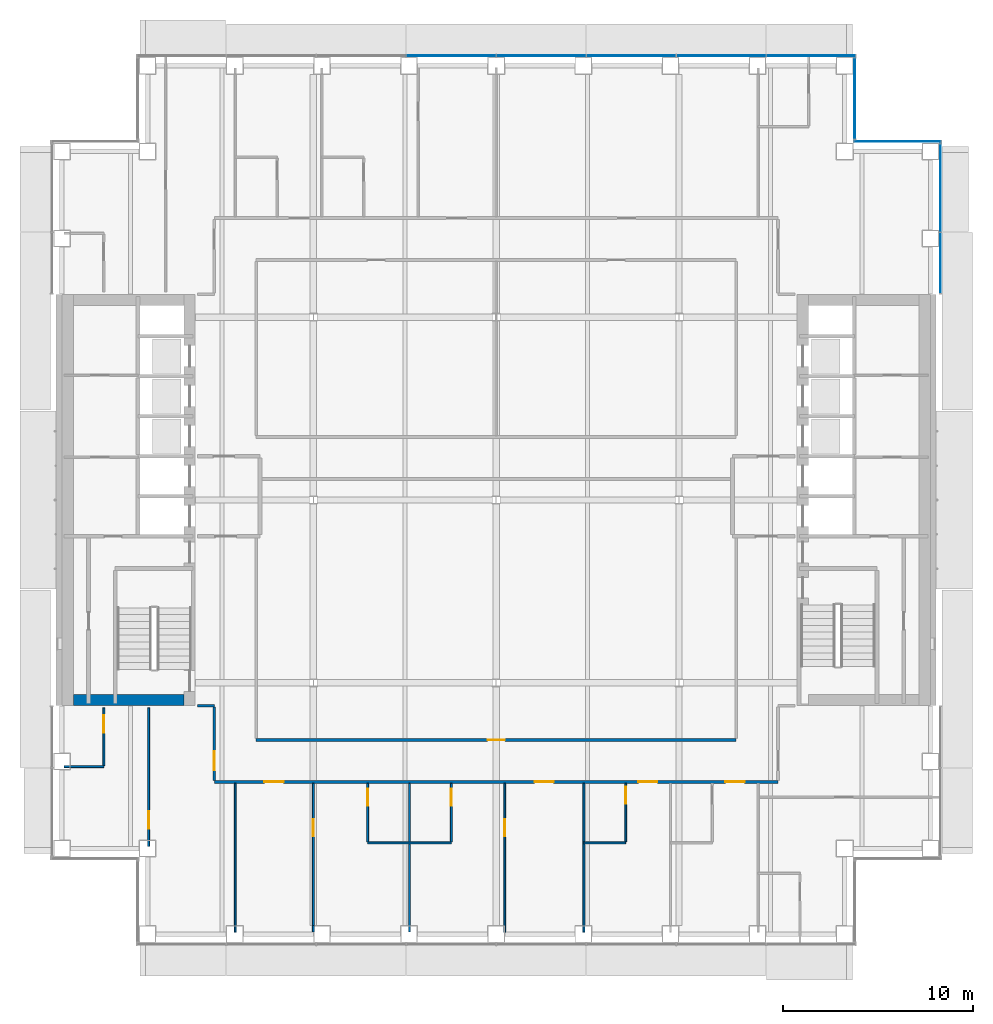
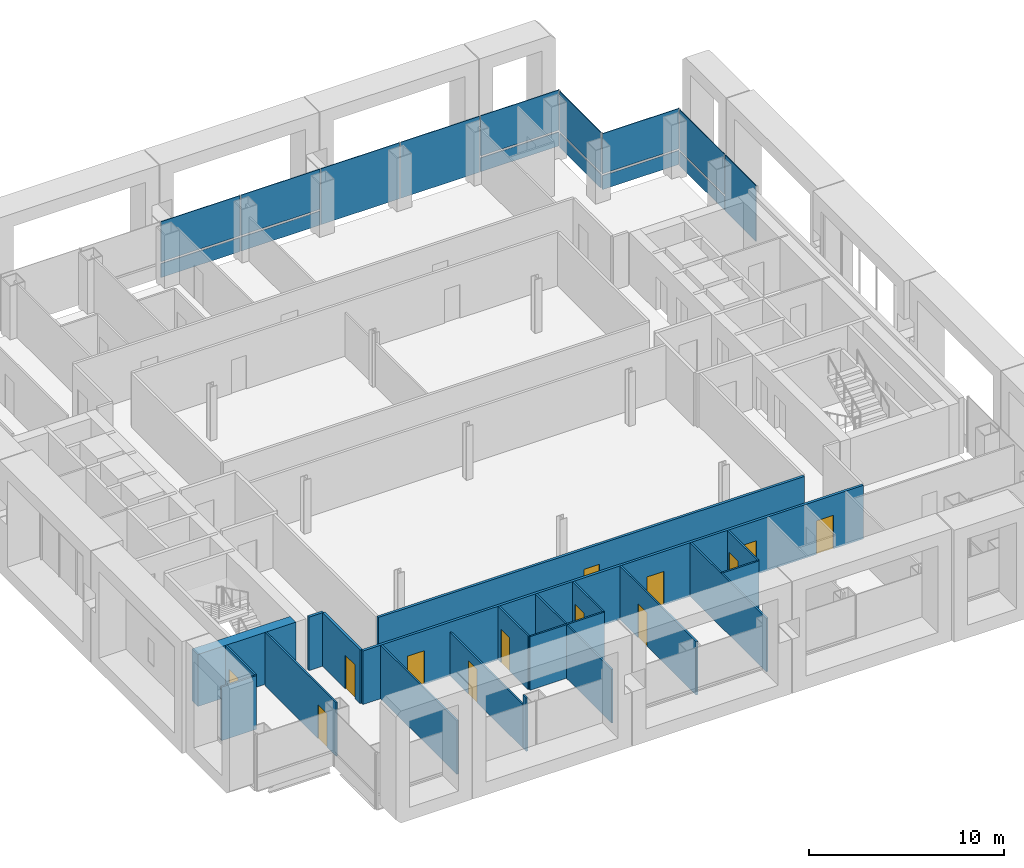
# One storey, part 10 of 19: 20 walls, 15 plates, 13 doors, 13 openings, 4 elements without a shape of their own.
"""IFC4 building model written with IfcOpenShell, lengths in metres."""

from ifc_helpers import new_model, si_unit, direction, frame, frame_2d, origin, origin_2d, place, context, subcontext, project, spatial, rectangle, extrude, material, layer, layer_set, type_object, element, fill, aggregate, save


model = new_model("IFC4")

# Units and contexts
model_context = context("Model", 3, precision=1e-05, world=origin(), true_north=direction((0.0, 1.0)))
body_context = subcontext(model_context, "Body", "Model", "MODEL_VIEW")
ifc_project = project(units=[si_unit("LENGTHUNIT", "METRE"), si_unit("AREAUNIT", "SQUARE_METRE"), si_unit("VOLUMEUNIT", "CUBIC_METRE"), si_unit("PLANEANGLEUNIT", "RADIAN"), si_unit("MASSUNIT", "GRAM", prefix="KILO")], contexts=[model_context])

# Site, building, storey
site_placement = place(None, origin())
site = spatial("IfcSite", under=ifc_project, at=site_placement, CompositionType="ELEMENT")
building_placement = place(site_placement, origin())
building = spatial("IfcBuilding", under=site, at=building_placement, Name="Cobrizo Arcos Hotel Tower", CompositionType="ELEMENT")
storey_placement = place(building_placement, frame((0.0, 0.0, 103.0)))
storey = spatial("IfcBuildingStorey", under=building, at=storey_placement, Name="L25", CompositionType="ELEMENT", Elevation=103.0)

# Curtain wall, plate
ifc_material_1 = material(Name="Aluminium 6063-T6 anodised bronze", Category="aluminium")
curtain_wall_type = type_object("IfcCurtainWallType", Name="CW-A guest facade", PredefinedType="NOTDEFINED", material=ifc_material_1)
curtain_wall_1_placement = place(storey_placement, origin())
curtain_wall_1 = element("IfcCurtainWall", 1, at=curtain_wall_1_placement, inside=storey, type_object=curtain_wall_type, Name="CW-A L25 E face", PredefinedType="NOTDEFINED")
ifc_material_2 = material(Name="Glass clear laminated low-e", Category="glass")
ifc_layer_1 = layer(ifc_material_2, 0.0400390625)
ifc_layer_set_1 = layer_set([ifc_layer_1], Name="CW-A glass panel")
plate_type_1 = type_object("IfcPlateType", Name="CW-A glass panel", PredefinedType="CURTAIN_PANEL", material=ifc_layer_set_1)
plate_1_placement = place(storey_placement, frame((23.324951171875, 16.391357421875, 0.990234375), z_axis=(0.0, 0.0, 1.0), x_axis=(0.0, 1.0, 0.0)))
plate_1 = element("IfcPlate", 2, at=plate_1_placement, type_object=plate_type_1, Name="CW-A glass panel 992", PredefinedType="CURTAIN_PANEL", context=body_context, shape_type="SweptSolid", body=[
    extrude(rectangle(XDim=4.597412109375, YDim=0.0400390625, at=origin_2d()), origin(), (0.0, 0.0, 1.0), 2.510009765625),
])

curtain_wall_2_placement = place(storey_placement, origin())
curtain_wall_2 = element("IfcCurtainWall", 3, at=curtain_wall_2_placement, inside=storey, type_object=curtain_wall_type, Name="CW-A L25 N face", PredefinedType="NOTDEFINED")
plate_2_placement = place(storey_placement, frame((21.074951171875, 18.824951171875, 0.990234375), z_axis=(0.0, 0.0, 1.0), x_axis=(-1.0, 0.0, 0.0)))
plate_2 = element("IfcPlate", 4, at=plate_2_placement, type_object=plate_type_1, Name="CW-A glass panel 993", PredefinedType="CURTAIN_PANEL", context=body_context, shape_type="SweptSolid", body=[
    extrude(rectangle(XDim=4.530029296875, YDim=0.0400390625, at=origin_2d()), origin(), (0.0, 0.0, 1.0), 2.510009765625),
])

curtain_wall_3_placement = place(storey_placement, origin())
curtain_wall_3 = element("IfcCurtainWall", 5, at=curtain_wall_3_placement, inside=storey, type_object=curtain_wall_type, Name="CW-A L25 E face", PredefinedType="NOTDEFINED")
plate_3_placement = place(storey_placement, frame((18.824951171875, 21.074951171875, 0.990234375), z_axis=(0.0, 0.0, 1.0), x_axis=(0.0, 1.0, 0.0)))
plate_3 = element("IfcPlate", 6, at=plate_3_placement, type_object=plate_type_1, Name="CW-A glass panel 994", PredefinedType="CURTAIN_PANEL", context=body_context, shape_type="SweptSolid", body=[
    extrude(rectangle(XDim=4.22998046875, YDim=0.0400390625, at=origin_2d()), origin(), (0.0, 0.0, 1.0), 2.510009765625),
])

# Curtain wall, plates
curtain_wall_4_placement = place(storey_placement, origin())
curtain_wall_4 = element("IfcCurtainWall", 7, at=curtain_wall_4_placement, inside=storey, type_object=curtain_wall_type, Name="CW-A L25 N face", PredefinedType="NOTDEFINED")
plate_4_placement = place(storey_placement, frame((16.5224609375, 23.324951171875, 0.990234375), z_axis=(0.0, 0.0, 1.0), x_axis=(-1.0, 0.0, 0.0)))
plate_4 = element("IfcPlate", 8, at=plate_4_placement, type_object=plate_type_1, Name="CW-A glass panel 995", PredefinedType="CURTAIN_PANEL", context=body_context, shape_type="SweptSolid", body=[
    extrude(rectangle(XDim=4.635009765625, YDim=0.0400390625, at=origin_2d()), origin(), (0.0, 0.0, 1.0), 2.510009765625),
])
plate_5_placement = place(storey_placement, frame((2.362548828125, 23.324951171875, 0.990234375), z_axis=(0.0, 0.0, 1.0), x_axis=(-1.0, 0.0, 0.0)))
plate_5 = element("IfcPlate", 9, at=plate_5_placement, type_object=plate_type_1, Name="CW-A glass panel 998", PredefinedType="CURTAIN_PANEL", context=body_context, shape_type="SweptSolid", body=[
    extrude(rectangle(XDim=4.6650390625, YDim=0.0400390625, at=origin_2d()), origin(), (0.0, 0.0, 1.0), 2.510009765625),
])
plate_6_placement = place(storey_placement, frame((-2.362548828125, 23.324951171875, 0.990234375), z_axis=(0.0, 0.0, 1.0), x_axis=(-1.0, 0.0, 0.0)))
plate_6 = element("IfcPlate", 10, at=plate_6_placement, type_object=plate_type_1, Name="CW-A glass panel 999", PredefinedType="CURTAIN_PANEL", context=body_context, shape_type="SweptSolid", body=[
    extrude(rectangle(XDim=4.6650390625, YDim=0.0400390625, at=origin_2d()), origin(), (0.0, 0.0, 1.0), 2.510009765625),
])

# Plate
ifc_material_3 = material(Name="Aluminium composite panel pale metal", Category="aluminium")
ifc_layer_2 = layer(ifc_material_3, 0.0400390625)
ifc_layer_set_2 = layer_set([ifc_layer_2], Name="CW-A spandrel panel")
plate_type_2 = type_object("IfcPlateType", Name="CW-A spandrel panel", PredefinedType="CURTAIN_PANEL", material=ifc_layer_set_2)
plate_7_placement = place(storey_placement, frame((23.324951171875, 12.4462890625, 0.0), z_axis=(0.0, 0.0, 1.0), x_axis=(0.0, 1.0, 0.0)))
plate_7 = element("IfcPlate", 11, at=plate_7_placement, type_object=plate_type_2, Name="CW-A spandrel panel 991", PredefinedType="CURTAIN_PANEL", context=body_context, shape_type="SweptSolid", body=[
    extrude(rectangle(XDim=3.172607421875, YDim=0.0400390625, at=origin_2d()), origin(), (0.0, 0.0, 1.0), 3.5),
])

plate_8_placement = place(storey_placement, frame((23.324951171875, 16.391357421875, 0.0), z_axis=(0.0, 0.0, 1.0), x_axis=(0.0, 1.0, 0.0)))
plate_8 = element("IfcPlate", 12, at=plate_8_placement, type_object=plate_type_2, Name="CW-A spandrel panel 992", PredefinedType="CURTAIN_PANEL", context=body_context, shape_type="SweptSolid", body=[
    extrude(rectangle(XDim=4.597412109375, YDim=0.0400390625, at=origin_2d()), origin(), (0.0, 0.0, 1.0), 0.8701171875),
])

aggregate(curtain_wall_1, [plate_7, plate_8, plate_1])

plate_9_placement = place(storey_placement, frame((21.074951171875, 18.824951171875, 0.0), z_axis=(0.0, 0.0, 1.0), x_axis=(-1.0, 0.0, 0.0)))
plate_9 = element("IfcPlate", 13, at=plate_9_placement, type_object=plate_type_2, Name="CW-A spandrel panel 993", PredefinedType="CURTAIN_PANEL", context=body_context, shape_type="SweptSolid", body=[
    extrude(rectangle(XDim=4.530029296875, YDim=0.0400390625, at=origin_2d()), origin(), (0.0, 0.0, 1.0), 0.8701171875),
])

aggregate(curtain_wall_2, [plate_9, plate_2])

plate_10_placement = place(storey_placement, frame((18.824951171875, 21.074951171875, 0.0), z_axis=(0.0, 0.0, 1.0), x_axis=(0.0, 1.0, 0.0)))
plate_10 = element("IfcPlate", 14, at=plate_10_placement, type_object=plate_type_2, Name="CW-A spandrel panel 994", PredefinedType="CURTAIN_PANEL", context=body_context, shape_type="SweptSolid", body=[
    extrude(rectangle(XDim=4.22998046875, YDim=0.0400390625, at=origin_2d()), origin(), (0.0, 0.0, 1.0), 0.8701171875),
])

aggregate(curtain_wall_3, [plate_10, plate_3])

plate_11_placement = place(storey_placement, frame((16.5224609375, 23.324951171875, 0.0), z_axis=(0.0, 0.0, 1.0), x_axis=(-1.0, 0.0, 0.0)))
plate_11 = element("IfcPlate", 15, at=plate_11_placement, type_object=plate_type_2, Name="CW-A spandrel panel 995", PredefinedType="CURTAIN_PANEL", context=body_context, shape_type="SweptSolid", body=[
    extrude(rectangle(XDim=4.635009765625, YDim=0.0400390625, at=origin_2d()), origin(), (0.0, 0.0, 1.0), 0.8701171875),
])

plate_12_placement = place(storey_placement, frame((11.8125, 23.324951171875, 0.0), z_axis=(0.0, 0.0, 1.0), x_axis=(-1.0, 0.0, 0.0)))
plate_12 = element("IfcPlate", 16, at=plate_12_placement, type_object=plate_type_2, Name="CW-A spandrel panel 996", PredefinedType="CURTAIN_PANEL", context=body_context, shape_type="SweptSolid", body=[
    extrude(rectangle(XDim=4.6650390625, YDim=0.0400390625, at=origin_2d()), origin(), (0.0, 0.0, 1.0), 3.5),
])

plate_13_placement = place(storey_placement, frame((7.08740234375, 23.324951171875, 0.0), z_axis=(0.0, 0.0, 1.0), x_axis=(-1.0, 0.0, 0.0)))
plate_13 = element("IfcPlate", 17, at=plate_13_placement, type_object=plate_type_2, Name="CW-A spandrel panel 997", PredefinedType="CURTAIN_PANEL", context=body_context, shape_type="SweptSolid", body=[
    extrude(rectangle(XDim=4.6650390625, YDim=0.0400390625, at=origin_2d()), origin(), (0.0, 0.0, 1.0), 3.5),
])

plate_14_placement = place(storey_placement, frame((2.362548828125, 23.324951171875, 0.0), z_axis=(0.0, 0.0, 1.0), x_axis=(-1.0, 0.0, 0.0)))
plate_14 = element("IfcPlate", 18, at=plate_14_placement, type_object=plate_type_2, Name="CW-A spandrel panel 998", PredefinedType="CURTAIN_PANEL", context=body_context, shape_type="SweptSolid", body=[
    extrude(rectangle(XDim=4.6650390625, YDim=0.0400390625, at=origin_2d()), origin(), (0.0, 0.0, 1.0), 0.8701171875),
])

plate_15_placement = place(storey_placement, frame((-2.362548828125, 23.324951171875, 0.0), z_axis=(0.0, 0.0, 1.0), x_axis=(-1.0, 0.0, 0.0)))
plate_15 = element("IfcPlate", 19, at=plate_15_placement, type_object=plate_type_2, Name="CW-A spandrel panel 999", PredefinedType="CURTAIN_PANEL", context=body_context, shape_type="SweptSolid", body=[
    extrude(rectangle(XDim=4.6650390625, YDim=0.0400390625, at=origin_2d()), origin(), (0.0, 0.0, 1.0), 0.8701171875),
])

aggregate(curtain_wall_4, [plate_11, plate_4, plate_12, plate_13, plate_14, plate_5, plate_15, plate_6])

# Wall, openings, doors
ifc_material_4 = material(Name="Gypsum board partition")
ifc_layer_3 = layer(ifc_material_4, 0.14990234375)
ifc_layer_set_3 = layer_set([ifc_layer_3], Name="Corridor wall EI 60 150")
wall_type_1 = type_object("IfcWallType", Name="Corridor wall EI 60 150", PredefinedType="PARTITIONING", material=ifc_layer_set_3)
wall_1_placement = place(storey_placement, frame((-14.800048828125, -14.800048828125, 0.0), z_axis=(0.0, 0.0, 1.0), x_axis=(1.0, 0.0, 0.0)))
wall_1 = element("IfcWall", 20, at=wall_1_placement, inside=storey, type_object=wall_type_1, Name="Partition 006", PredefinedType="PARTITIONING", context=body_context, shape_type="SweptSolid", body=[
    extrude(rectangle(XDim=29.60009765625, YDim=0.14990234375, at=frame_2d((14.800048828125, 0.0))), origin(), (0.0, 0.0, 1.0), 3.35009765625),
])
opening_1_placement = place(wall_1_placement, frame((2.634033203125, 0.0, 0.0)))
opening_1 = element("IfcOpeningElement", 21, at=opening_1_placement, cuts=wall_1, Name="Opening GD-03", PredefinedType="OPENING", context=body_context, shape_type="SweptSolid", body=[
    extrude(rectangle(XDim=1.0, YDim=2.10009765625, at=frame_2d((0.5, 1.050048828125))), frame((0.0, 0.0869140625, 0.0), z_axis=(0.0, -1.0, 0.0), x_axis=(1.0, 0.0, 0.0)), (0.0, 0.0, 1.0), 0.173828125),
])
opening_2_placement = place(wall_1_placement, frame((16.81591796875, 0.0, 0.0)))
opening_2 = element("IfcOpeningElement", 22, at=opening_2_placement, cuts=wall_1, Name="Opening GD-04", PredefinedType="OPENING", context=body_context, shape_type="SweptSolid", body=[
    extrude(rectangle(XDim=1.0, YDim=2.10009765625, at=frame_2d((0.5, 1.050048828125))), frame((0.0, 0.0869140625, 0.0), z_axis=(0.0, -1.0, 0.0), x_axis=(1.0, 0.0, 0.0)), (0.0, 0.0, 1.0), 0.173828125),
])
opening_3_placement = place(wall_1_placement, frame((22.262939453125, 0.0, 0.0)))
opening_3 = element("IfcOpeningElement", 23, at=opening_3_placement, cuts=wall_1, Name="Opening GD-05", PredefinedType="OPENING", context=body_context, shape_type="SweptSolid", body=[
    extrude(rectangle(XDim=1.0, YDim=2.10009765625, at=frame_2d((0.5, 1.050048828125))), frame((0.0, 0.0869140625, 0.0), z_axis=(0.0, -1.0, 0.0), x_axis=(1.0, 0.0, 0.0)), (0.0, 0.0, 1.0), 0.173828125),
])
opening_4_placement = place(wall_1_placement, frame((26.8369140625, 0.0, 0.0)))
opening_4 = element("IfcOpeningElement", 24, at=opening_4_placement, cuts=wall_1, Name="Opening GD-06", PredefinedType="OPENING", context=body_context, shape_type="SweptSolid", body=[
    extrude(rectangle(XDim=1.0, YDim=2.10009765625, at=frame_2d((0.5, 1.050048828125))), frame((0.0, 0.0869140625, 0.0), z_axis=(0.0, -1.0, 0.0), x_axis=(1.0, 0.0, 0.0)), (0.0, 0.0, 1.0), 0.173828125),
])
ifc_material_5 = material(Name="Timber door leaf", Category="wood")
door_type_1 = type_object("IfcDoorType", Name="Guest room door FD30S 1000x2100", OperationType="SINGLE_SWING_LEFT", PredefinedType="DOOR", material=ifc_material_5)
door_1_placement = place(opening_1_placement, origin())
door_1 = element("IfcDoor", 25, at=door_1_placement, inside=storey, type_object=door_type_1, Name="Door GD-03", OperationType="SINGLE_SWING_LEFT", OverallHeight=2.10009765625, OverallWidth=1.0, PredefinedType="DOOR", context=body_context, shape_type="SweptSolid", body=[
    extrude(rectangle(XDim=1.0, YDim=2.10009765625, at=frame_2d((0.5, 1.050048828125))), frame((0.0, 0.02490234375, 0.0), z_axis=(0.0, -1.0, 0.0), x_axis=(1.0, 0.0, 0.0)), (0.0, 0.0, 1.0), 0.050048828125),
])
fill(opening_1, door_1)
door_2_placement = place(opening_2_placement, origin())
door_2 = element("IfcDoor", 26, at=door_2_placement, inside=storey, type_object=door_type_1, Name="Door GD-04", OperationType="SINGLE_SWING_RIGHT", OverallHeight=2.10009765625, OverallWidth=1.0, PredefinedType="DOOR", context=body_context, shape_type="SweptSolid", body=[
    extrude(rectangle(XDim=1.0, YDim=2.10009765625, at=frame_2d((0.5, 1.050048828125))), frame((0.0, 0.02490234375, 0.0), z_axis=(0.0, -1.0, 0.0), x_axis=(1.0, 0.0, 0.0)), (0.0, 0.0, 1.0), 0.050048828125),
])
fill(opening_2, door_2)
door_3_placement = place(opening_3_placement, origin())
door_3 = element("IfcDoor", 27, at=door_3_placement, inside=storey, type_object=door_type_1, Name="Door GD-05", OperationType="SINGLE_SWING_LEFT", OverallHeight=2.10009765625, OverallWidth=1.0, PredefinedType="DOOR", context=body_context, shape_type="SweptSolid", body=[
    extrude(rectangle(XDim=1.0, YDim=2.10009765625, at=frame_2d((0.5, 1.050048828125))), frame((0.0, 0.02490234375, 0.0), z_axis=(0.0, -1.0, 0.0), x_axis=(1.0, 0.0, 0.0)), (0.0, 0.0, 1.0), 0.050048828125),
])
fill(opening_3, door_3)
door_4_placement = place(opening_4_placement, origin())
door_4 = element("IfcDoor", 28, at=door_4_placement, inside=storey, type_object=door_type_1, Name="Door GD-06", OperationType="SINGLE_SWING_RIGHT", OverallHeight=2.10009765625, OverallWidth=1.0, PredefinedType="DOOR", context=body_context, shape_type="SweptSolid", body=[
    extrude(rectangle(XDim=1.0, YDim=2.10009765625, at=frame_2d((0.5, 1.050048828125))), frame((0.0, 0.02490234375, 0.0), z_axis=(0.0, -1.0, 0.0), x_axis=(1.0, 0.0, 0.0)), (0.0, 0.0, 1.0), 0.050048828125),
])
fill(opening_4, door_4)

# Wall, opening, door
wall_2_placement = place(storey_placement, frame((-12.60009765625, -12.60009765625, 0.0), z_axis=(0.0, 0.0, 1.0), x_axis=(1.0, 0.0, 0.0)))
wall_2 = element("IfcWall", 29, at=wall_2_placement, inside=storey, type_object=wall_type_1, Name="Partition 008", PredefinedType="PARTITIONING", context=body_context, shape_type="SweptSolid", body=[
    extrude(rectangle(XDim=25.2001953125, YDim=0.14990234375, at=frame_2d((12.60009765625, 0.0))), origin(), (0.0, 0.0, 1.0), 3.35009765625),
])
opening_5_placement = place(wall_2_placement, frame((12.14990234375, 0.0, 0.0)))
opening_5 = element("IfcOpeningElement", 30, at=opening_5_placement, cuts=wall_2, Name="Opening RD-18", PredefinedType="OPENING", context=body_context, shape_type="SweptSolid", body=[
    extrude(rectangle(XDim=0.89990234375, YDim=2.10009765625, at=frame_2d((0.449951171875, 1.050048828125))), frame((0.0, 0.0869140625, 0.0), z_axis=(0.0, -1.0, 0.0), x_axis=(1.0, 0.0, 0.0)), (0.0, 0.0, 1.0), 0.173828125),
])
door_type_2 = type_object("IfcDoorType", Name="Room door FD30 900x2100", OperationType="SINGLE_SWING_LEFT", PredefinedType="DOOR", material=ifc_material_5)
door_5_placement = place(opening_5_placement, origin())
door_5 = element("IfcDoor", 31, at=door_5_placement, inside=storey, type_object=door_type_2, Name="Door RD-18", OperationType="SINGLE_SWING_RIGHT", OverallHeight=2.10009765625, OverallWidth=0.89990234375, PredefinedType="DOOR", context=body_context, shape_type="SweptSolid", body=[
    extrude(rectangle(XDim=0.89990234375, YDim=2.10009765625, at=frame_2d((0.449951171875, 1.050048828125))), frame((0.0, 0.02490234375, 0.0), z_axis=(0.0, -1.0, 0.0), x_axis=(1.0, 0.0, 0.0)), (0.0, 0.0, 1.0), 0.050048828125),
])
fill(opening_5, door_5)

# Wall
wall_3_placement = place(storey_placement, frame((-15.679931640625, -10.800048828125, 0.0), z_axis=(0.0, 0.0, 1.0), x_axis=(1.0, 0.0, 0.0)))
element("IfcWall", 32, at=wall_3_placement, inside=storey, type_object=wall_type_1, Name="Partition 009", PredefinedType="PARTITIONING", context=body_context, shape_type="SweptSolid", body=[
    extrude(rectangle(XDim=0.8798828125, YDim=0.14990234375, at=frame_2d((0.43994140625, 0.0))), origin(), (0.0, 0.0, 1.0), 3.35009765625),
])

# Wall, opening, door
wall_4_placement = place(storey_placement, frame((-14.800048828125, -14.72509765625, 0.0), z_axis=(0.0, 0.0, 1.0), x_axis=(0.0, 1.0, 0.0)))
wall_4 = element("IfcWall", 33, at=wall_4_placement, inside=storey, type_object=wall_type_1, Name="Partition 052", PredefinedType="PARTITIONING", context=body_context, shape_type="SweptSolid", body=[
    extrude(rectangle(XDim=3.85009765625, YDim=0.14990234375, at=frame_2d((1.925048828125, 0.0))), origin(), (0.0, 0.0, 1.0), 3.35009765625),
])
opening_6_placement = place(wall_4_placement, frame((0.52490234375, 0.0, 0.0)))
opening_6 = element("IfcOpeningElement", 34, at=opening_6_placement, cuts=wall_4, Name="Opening GD-07", PredefinedType="OPENING", context=body_context, shape_type="SweptSolid", body=[
    extrude(rectangle(XDim=1.0, YDim=2.10009765625, at=frame_2d((0.5, 1.050048828125))), frame((0.0, 0.0869140625, 0.0), z_axis=(0.0, -1.0, 0.0), x_axis=(1.0, 0.0, 0.0)), (0.0, 0.0, 1.0), 0.173828125),
])
door_6_placement = place(opening_6_placement, origin())
door_6 = element("IfcDoor", 35, at=door_6_placement, inside=storey, type_object=door_type_1, Name="Door GD-07", OperationType="SINGLE_SWING_LEFT", OverallHeight=2.10009765625, OverallWidth=1.0, PredefinedType="DOOR", context=body_context, shape_type="SweptSolid", body=[
    extrude(rectangle(XDim=1.0, YDim=2.10009765625, at=frame_2d((0.5, 1.050048828125))), frame((0.0, 0.02490234375, 0.0), z_axis=(0.0, -1.0, 0.0), x_axis=(1.0, 0.0, 0.0)), (0.0, 0.0, 1.0), 0.050048828125),
])
fill(opening_6, door_6)

# Walls
ifc_layer_4 = layer(ifc_material_4, 0.10009765625)
ifc_layer_set_4 = layer_set([ifc_layer_4], Name="Partition EI 30 100")
wall_type_2 = type_object("IfcWallType", Name="Partition EI 30 100", PredefinedType="PARTITIONING", material=ifc_layer_set_4)
wall_5_placement = place(storey_placement, frame((-6.75, -18.0, 0.0), z_axis=(0.0, 0.0, 1.0), x_axis=(1.0, 0.0, 0.0)))
element("IfcWall", 36, at=wall_5_placement, inside=storey, type_object=wall_type_2, Name="Partition 002", PredefinedType="PARTITIONING", context=body_context, shape_type="SweptSolid", body=[
    extrude(rectangle(XDim=4.39990234375, YDim=0.10009765625, at=frame_2d((2.199951171875, 0.0))), origin(), (0.0, 0.0, 1.0), 3.35009765625),
])
wall_6_placement = place(storey_placement, frame((4.60009765625, -18.0, 0.0), z_axis=(0.0, 0.0, 1.0), x_axis=(1.0, 0.0, 0.0)))
element("IfcWall", 37, at=wall_6_placement, inside=storey, type_object=wall_type_2, Name="Partition 003", PredefinedType="PARTITIONING", context=body_context, shape_type="SweptSolid", body=[
    extrude(rectangle(XDim=2.199951171875, YDim=0.10009765625, at=frame_2d((1.10009765625, 0.0))), origin(), (0.0, 0.0, 1.0), 3.35009765625),
])
wall_7_placement = place(storey_placement, frame((-22.679931640625, -14.0, 0.0), z_axis=(0.0, 0.0, 1.0), x_axis=(1.0, 0.0, 0.0)))
element("IfcWall", 38, at=wall_7_placement, inside=storey, type_object=wall_type_2, Name="Partition 007", PredefinedType="PARTITIONING", context=body_context, shape_type="SweptSolid", body=[
    extrude(rectangle(XDim=2.079833984375, YDim=0.10009765625, at=frame_2d((1.0400390625, 0.0))), origin(), (0.0, 0.0, 1.0), 3.35009765625),
])

# Wall, opening, door
wall_8_placement = place(storey_placement, frame((-20.60009765625, -13.949951171875, 0.0), z_axis=(0.0, 0.0, 1.0), x_axis=(0.0, 1.0, 0.0)))
wall_8 = element("IfcWall", 39, at=wall_8_placement, inside=storey, type_object=wall_type_2, Name="Partition 044", PredefinedType="PARTITIONING", context=body_context, shape_type="SweptSolid", body=[
    extrude(rectangle(XDim=3.030029296875, YDim=0.10009765625, at=frame_2d((1.51513671875, 0.0))), origin(), (0.0, 0.0, 1.0), 3.35009765625),
])
opening_7_placement = place(wall_8_placement, frame((1.739990234375, 0.0, 0.0)))
opening_7 = element("IfcOpeningElement", 40, at=opening_7_placement, cuts=wall_8, Name="Opening ED-07", PredefinedType="OPENING", context=body_context, shape_type="SweptSolid", body=[
    extrude(rectangle(XDim=0.89990234375, YDim=2.10009765625, at=frame_2d((0.449951171875, 1.050048828125))), frame((0.0, 0.06201171875, 0.0), z_axis=(0.0, -1.0, 0.0), x_axis=(1.0, 0.0, 0.0)), (0.0, 0.0, 1.0), 0.1240234375),
])
door_type_3 = type_object("IfcDoorType", Name="En-suite door 900x2100", OperationType="SINGLE_SWING_LEFT", PredefinedType="DOOR", material=ifc_material_5)
door_7_placement = place(opening_7_placement, origin())
door_7 = element("IfcDoor", 41, at=door_7_placement, inside=storey, type_object=door_type_3, Name="Door ED-07", OperationType="SINGLE_SWING_LEFT", OverallHeight=2.10009765625, OverallWidth=0.89990234375, PredefinedType="DOOR", context=body_context, shape_type="SweptSolid", body=[
    extrude(rectangle(XDim=0.89990234375, YDim=2.10009765625, at=frame_2d((0.449951171875, 1.050048828125))), frame((0.0, 0.02490234375, 0.0), z_axis=(0.0, -1.0, 0.0), x_axis=(1.0, 0.0, 0.0)), (0.0, 0.0, 1.0), 0.050048828125),
])
fill(opening_7, door_7)

wall_9_placement = place(storey_placement, frame((-18.25, -18.19091796875, 0.0), z_axis=(0.0, 0.0, 1.0), x_axis=(0.0, 1.0, 0.0)))
wall_9 = element("IfcWall", 42, at=wall_9_placement, inside=storey, type_object=wall_type_2, Name="Partition 050", PredefinedType="PARTITIONING", context=body_context, shape_type="SweptSolid", body=[
    extrude(rectangle(XDim=7.27099609375, YDim=0.10009765625, at=frame_2d((3.635498046875, 0.0))), origin(), (0.0, 0.0, 1.0), 3.35009765625),
])
opening_8_placement = place(wall_9_placement, frame((0.94091796875, 0.0, 0.0)))
opening_8 = element("IfcOpeningElement", 43, at=opening_8_placement, cuts=wall_9, Name="Opening RD-13", PredefinedType="OPENING", context=body_context, shape_type="SweptSolid", body=[
    extrude(rectangle(XDim=0.89990234375, YDim=2.10009765625, at=frame_2d((0.449951171875, 1.050048828125))), frame((0.0, 0.06201171875, 0.0), z_axis=(0.0, -1.0, 0.0), x_axis=(1.0, 0.0, 0.0)), (0.0, 0.0, 1.0), 0.1240234375),
])
door_8_placement = place(opening_8_placement, origin())
door_8 = element("IfcDoor", 44, at=door_8_placement, inside=storey, type_object=door_type_2, Name="Door RD-13", OperationType="SINGLE_SWING_RIGHT", OverallHeight=2.10009765625, OverallWidth=0.89990234375, PredefinedType="DOOR", context=body_context, shape_type="SweptSolid", body=[
    extrude(rectangle(XDim=0.89990234375, YDim=2.10009765625, at=frame_2d((0.449951171875, 1.050048828125))), frame((0.0, 0.02490234375, 0.0), z_axis=(0.0, -1.0, 0.0), x_axis=(1.0, 0.0, 0.0)), (0.0, 0.0, 1.0), 0.050048828125),
])
fill(opening_8, door_8)

# Walls
wall_10_placement = place(storey_placement, frame((-13.699951171875, -22.679931640625, 0.0), z_axis=(0.0, 0.0, 1.0), x_axis=(0.0, 1.0, 0.0)))
element("IfcWall", 45, at=wall_10_placement, inside=storey, type_object=wall_type_2, Name="Partition 054", PredefinedType="PARTITIONING", context=body_context, shape_type="SweptSolid", body=[
    extrude(rectangle(XDim=7.804931640625, YDim=0.10009765625, at=frame_2d((3.90234375, 0.0))), origin(), (0.0, 0.0, 1.0), 3.35009765625),
])
wall_11_placement = place(storey_placement, frame((-9.60009765625, -22.679931640625, 0.0), z_axis=(0.0, 0.0, 1.0), x_axis=(0.0, 1.0, 0.0)))
element("IfcWall", 46, at=wall_11_placement, inside=storey, type_object=wall_type_2, Name="Partition 060", PredefinedType="PARTITIONING", context=body_context, shape_type="SweptSolid", body=[
    extrude(rectangle(XDim=0.329833984375, YDim=0.10009765625, at=frame_2d((0.1650390625, 0.0))), origin(), (0.0, 0.0, 1.0), 3.35009765625),
])

# Wall, opening, door
wall_12_placement = place(storey_placement, frame((-9.60009765625, -22.35009765625, 0.0), z_axis=(0.0, 0.0, 1.0), x_axis=(0.0, 1.0, 0.0)))
wall_12 = element("IfcWall", 47, at=wall_12_placement, inside=storey, type_object=wall_type_2, Name="Partition 061", PredefinedType="PARTITIONING", context=body_context, shape_type="SweptSolid", body=[
    extrude(rectangle(XDim=7.47509765625, YDim=0.10009765625, at=frame_2d((3.737548828125, 0.0))), origin(), (0.0, 0.0, 1.0), 2.72802734375),
])
opening_9_placement = place(wall_12_placement, frame((4.699951171875, 0.0, 0.0)))
opening_9 = element("IfcOpeningElement", 48, at=opening_9_placement, cuts=wall_12, Name="Opening RD-11", PredefinedType="OPENING", context=body_context, shape_type="SweptSolid", body=[
    extrude(rectangle(XDim=0.89990234375, YDim=2.10009765625, at=frame_2d((0.449951171875, 1.050048828125))), frame((0.0, 0.06201171875, 0.0), z_axis=(0.0, -1.0, 0.0), x_axis=(1.0, 0.0, 0.0)), (0.0, 0.0, 1.0), 0.1240234375),
])
door_9_placement = place(opening_9_placement, origin())
door_9 = element("IfcDoor", 49, at=door_9_placement, inside=storey, type_object=door_type_2, Name="Door RD-11", OperationType="SINGLE_SWING_LEFT", OverallHeight=2.10009765625, OverallWidth=0.89990234375, PredefinedType="DOOR", context=body_context, shape_type="SweptSolid", body=[
    extrude(rectangle(XDim=0.89990234375, YDim=2.10009765625, at=frame_2d((0.449951171875, 1.050048828125))), frame((0.0, 0.02490234375, 0.0), z_axis=(0.0, -1.0, 0.0), x_axis=(1.0, 0.0, 0.0)), (0.0, 0.0, 1.0), 0.050048828125),
])
fill(opening_9, door_9)

wall_13_placement = place(storey_placement, frame((-6.75, -17.949951171875, 0.0), z_axis=(0.0, 0.0, 1.0), x_axis=(0.0, 1.0, 0.0)))
wall_13 = element("IfcWall", 50, at=wall_13_placement, inside=storey, type_object=wall_type_2, Name="Partition 064", PredefinedType="PARTITIONING", context=body_context, shape_type="SweptSolid", body=[
    extrude(rectangle(XDim=3.074951171875, YDim=0.10009765625, at=frame_2d((1.53759765625, 0.0))), origin(), (0.0, 0.0, 1.0), 3.35009765625),
])
opening_10_placement = place(wall_13_placement, frame((1.89990234375, 0.0, 0.0)))
opening_10 = element("IfcOpeningElement", 51, at=opening_10_placement, cuts=wall_13, Name="Opening ED-03", PredefinedType="OPENING", context=body_context, shape_type="SweptSolid", body=[
    extrude(rectangle(XDim=0.89990234375, YDim=2.10009765625, at=frame_2d((0.449951171875, 1.050048828125))), frame((0.0, 0.06201171875, 0.0), z_axis=(0.0, -1.0, 0.0), x_axis=(1.0, 0.0, 0.0)), (0.0, 0.0, 1.0), 0.1240234375),
])
door_10_placement = place(opening_10_placement, origin())
door_10 = element("IfcDoor", 52, at=door_10_placement, inside=storey, type_object=door_type_3, Name="Door ED-03", OperationType="SINGLE_SWING_RIGHT", OverallHeight=2.10009765625, OverallWidth=0.89990234375, PredefinedType="DOOR", context=body_context, shape_type="SweptSolid", body=[
    extrude(rectangle(XDim=0.89990234375, YDim=2.10009765625, at=frame_2d((0.449951171875, 1.050048828125))), frame((0.0, 0.02490234375, 0.0), z_axis=(0.0, -1.0, 0.0), x_axis=(1.0, 0.0, 0.0)), (0.0, 0.0, 1.0), 0.050048828125),
])
fill(opening_10, door_10)

# Walls
wall_14_placement = place(storey_placement, frame((-4.550048828125, -22.679931640625, 0.0), z_axis=(0.0, 0.0, 1.0), x_axis=(0.0, 1.0, 0.0)))
element("IfcWall", 53, at=wall_14_placement, inside=storey, type_object=wall_type_2, Name="Partition 065", PredefinedType="PARTITIONING", context=body_context, shape_type="SweptSolid", body=[
    extrude(rectangle(XDim=4.6298828125, YDim=0.10009765625, at=frame_2d((2.31494140625, 0.0))), origin(), (0.0, 0.0, 1.0), 3.35009765625),
])
wall_15_placement = place(storey_placement, frame((-4.550048828125, -17.949951171875, 0.0), z_axis=(0.0, 0.0, 1.0), x_axis=(0.0, 1.0, 0.0)))
element("IfcWall", 54, at=wall_15_placement, inside=storey, type_object=wall_type_2, Name="Partition 066", PredefinedType="PARTITIONING", context=body_context, shape_type="SweptSolid", body=[
    extrude(rectangle(XDim=3.074951171875, YDim=0.10009765625, at=frame_2d((1.53759765625, 0.0))), origin(), (0.0, 0.0, 1.0), 3.35009765625),
])

# Wall, opening, door
wall_16_placement = place(storey_placement, frame((-2.35009765625, -17.949951171875, 0.0), z_axis=(0.0, 0.0, 1.0), x_axis=(0.0, 1.0, 0.0)))
wall_16 = element("IfcWall", 55, at=wall_16_placement, inside=storey, type_object=wall_type_2, Name="Partition 068", PredefinedType="PARTITIONING", context=body_context, shape_type="SweptSolid", body=[
    extrude(rectangle(XDim=3.074951171875, YDim=0.10009765625, at=frame_2d((1.53759765625, 0.0))), origin(), (0.0, 0.0, 1.0), 3.35009765625),
])
opening_11_placement = place(wall_16_placement, frame((1.89990234375, 0.0, 0.0)))
opening_11 = element("IfcOpeningElement", 56, at=opening_11_placement, cuts=wall_16, Name="Opening ED-04", PredefinedType="OPENING", context=body_context, shape_type="SweptSolid", body=[
    extrude(rectangle(XDim=0.89990234375, YDim=2.10009765625, at=frame_2d((0.449951171875, 1.050048828125))), frame((0.0, 0.06201171875, 0.0), z_axis=(0.0, -1.0, 0.0), x_axis=(1.0, 0.0, 0.0)), (0.0, 0.0, 1.0), 0.1240234375),
])
door_11_placement = place(opening_11_placement, origin())
door_11 = element("IfcDoor", 57, at=door_11_placement, inside=storey, type_object=door_type_3, Name="Door ED-04", OperationType="SINGLE_SWING_RIGHT", OverallHeight=2.10009765625, OverallWidth=0.89990234375, PredefinedType="DOOR", context=body_context, shape_type="SweptSolid", body=[
    extrude(rectangle(XDim=0.89990234375, YDim=2.10009765625, at=frame_2d((0.449951171875, 1.050048828125))), frame((0.0, 0.02490234375, 0.0), z_axis=(0.0, -1.0, 0.0), x_axis=(1.0, 0.0, 0.0)), (0.0, 0.0, 1.0), 0.050048828125),
])
fill(opening_11, door_11)

wall_17_placement = place(storey_placement, frame((0.449951171875, -22.679931640625, 0.0), z_axis=(0.0, 0.0, 1.0), x_axis=(0.0, 1.0, 0.0)))
wall_17 = element("IfcWall", 58, at=wall_17_placement, inside=storey, type_object=wall_type_2, Name="Partition 074", PredefinedType="PARTITIONING", context=body_context, shape_type="SweptSolid", body=[
    extrude(rectangle(XDim=7.804931640625, YDim=0.10009765625, at=frame_2d((3.90234375, 0.0))), origin(), (0.0, 0.0, 1.0), 3.35009765625),
])
opening_12_placement = place(wall_17_placement, frame((5.030029296875, 0.0, 0.0)))
opening_12 = element("IfcOpeningElement", 59, at=opening_12_placement, cuts=wall_17, Name="Opening RD-12", PredefinedType="OPENING", context=body_context, shape_type="SweptSolid", body=[
    extrude(rectangle(XDim=0.89990234375, YDim=2.10009765625, at=frame_2d((0.449951171875, 1.050048828125))), frame((0.0, 0.06201171875, 0.0), z_axis=(0.0, -1.0, 0.0), x_axis=(1.0, 0.0, 0.0)), (0.0, 0.0, 1.0), 0.1240234375),
])
door_12_placement = place(opening_12_placement, origin())
door_12 = element("IfcDoor", 60, at=door_12_placement, inside=storey, type_object=door_type_2, Name="Door RD-12", OperationType="SINGLE_SWING_RIGHT", OverallHeight=2.10009765625, OverallWidth=0.89990234375, PredefinedType="DOOR", context=body_context, shape_type="SweptSolid", body=[
    extrude(rectangle(XDim=0.89990234375, YDim=2.10009765625, at=frame_2d((0.449951171875, 1.050048828125))), frame((0.0, 0.02490234375, 0.0), z_axis=(0.0, -1.0, 0.0), x_axis=(1.0, 0.0, 0.0)), (0.0, 0.0, 1.0), 0.050048828125),
])
fill(opening_12, door_12)

# Wall
wall_18_placement = place(storey_placement, frame((4.60009765625, -22.679931640625, 0.0), z_axis=(0.0, 0.0, 1.0), x_axis=(0.0, 1.0, 0.0)))
element("IfcWall", 61, at=wall_18_placement, inside=storey, type_object=wall_type_2, Name="Partition 075", PredefinedType="PARTITIONING", context=body_context, shape_type="SweptSolid", body=[
    extrude(rectangle(XDim=7.804931640625, YDim=0.10009765625, at=frame_2d((3.90234375, 0.0))), origin(), (0.0, 0.0, 1.0), 3.35009765625),
])

# Wall, opening, door
wall_19_placement = place(storey_placement, frame((6.800048828125, -17.949951171875, 0.0), z_axis=(0.0, 0.0, 1.0), x_axis=(0.0, 1.0, 0.0)))
wall_19 = element("IfcWall", 62, at=wall_19_placement, inside=storey, type_object=wall_type_2, Name="Partition 076", PredefinedType="PARTITIONING", context=body_context, shape_type="SweptSolid", body=[
    extrude(rectangle(XDim=3.074951171875, YDim=0.10009765625, at=frame_2d((1.53759765625, 0.0))), origin(), (0.0, 0.0, 1.0), 3.35009765625),
])
opening_13_placement = place(wall_19_placement, frame((1.99609375, 0.0, 0.0)))
opening_13 = element("IfcOpeningElement", 63, at=opening_13_placement, cuts=wall_19, Name="Opening ED-05", PredefinedType="OPENING", context=body_context, shape_type="SweptSolid", body=[
    extrude(rectangle(XDim=0.89990234375, YDim=2.10009765625, at=frame_2d((0.449951171875, 1.050048828125))), frame((0.0, 0.06201171875, 0.0), z_axis=(0.0, -1.0, 0.0), x_axis=(1.0, 0.0, 0.0)), (0.0, 0.0, 1.0), 0.1240234375),
])
door_13_placement = place(opening_13_placement, origin())
door_13 = element("IfcDoor", 64, at=door_13_placement, inside=storey, type_object=door_type_3, Name="Door ED-05", OperationType="SINGLE_SWING_LEFT", OverallHeight=2.10009765625, OverallWidth=0.89990234375, PredefinedType="DOOR", context=body_context, shape_type="SweptSolid", body=[
    extrude(rectangle(XDim=0.89990234375, YDim=2.10009765625, at=frame_2d((0.449951171875, 1.050048828125))), frame((0.0, 0.02490234375, 0.0), z_axis=(0.0, -1.0, 0.0), x_axis=(1.0, 0.0, 0.0)), (0.0, 0.0, 1.0), 0.050048828125),
])
fill(opening_13, door_13)

# Wall
ifc_material_6 = material(Name="Concrete f'c 50 MPa", Category="concrete")
ifc_layer_5 = layer(ifc_material_6, 0.60009765625)
ifc_layer_set_5 = layer_set([ifc_layer_5], Name="RC core wall 600 f'c 50")
wall_type_3 = type_object("IfcWallType", Name="RC core wall 600 f'c 50", PredefinedType="SHEAR", material=ifc_layer_set_5)
wall_20_placement = place(storey_placement, frame((-22.199951171875, -10.5, 0.0), z_axis=(0.0, 0.0, 1.0), x_axis=(1.0, 0.0, 0.0)))
element("IfcWall", 65, at=wall_20_placement, inside=storey, type_object=wall_type_3, Name="Core wall CW2, west core, south end, L25", PredefinedType="SHEAR", context=body_context, shape_type="SweptSolid", body=[
    extrude(rectangle(XDim=5.800048828125, YDim=0.60009765625, at=frame_2d((2.89990234375, 0.0))), origin(), (0.0, 0.0, 1.0), 3.25),
])

save(model, "model.ifc")
